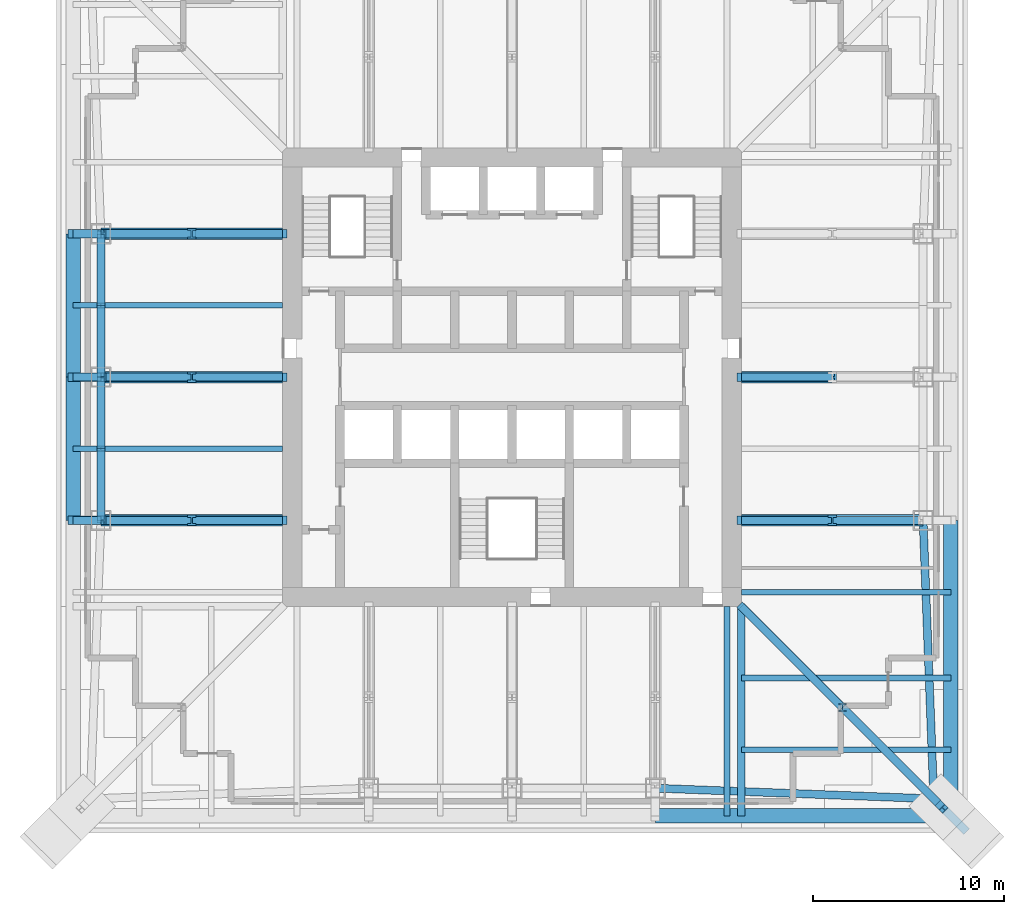
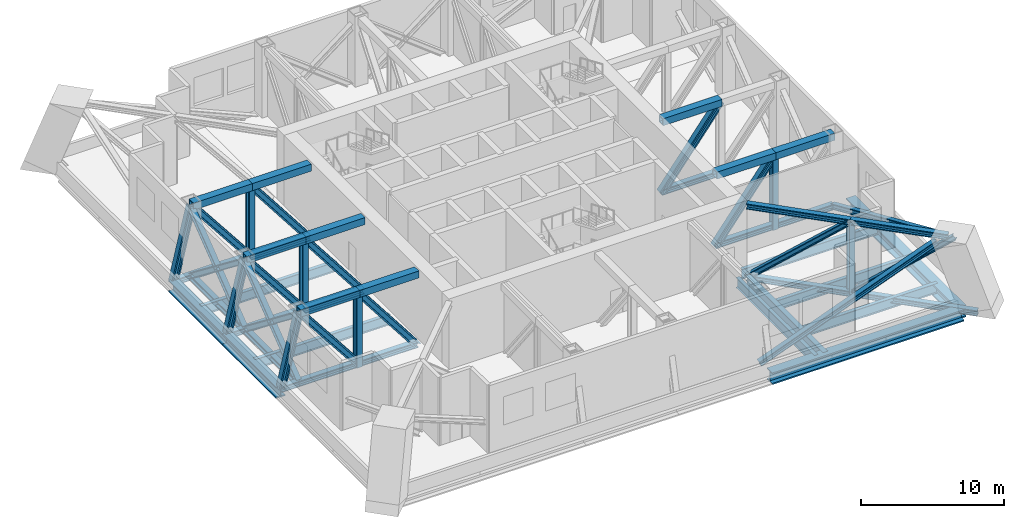
# One storey, part 2 of 8: 55 members, 11 beams.
"""IFC4 building model written with IfcOpenShell, lengths in metres."""

from ifc_helpers import new_model, si_unit, direction, frame, origin, origin_2d, place, context, subcontext, project, spatial, hollow_rectangle, i_section, extrude, clip, halfspace, material, material_profile, profile_set, type_object, element, save


model = new_model("IFC4")

# Units and contexts
model_context = context("Model", 3, precision=1e-05, world=origin(), true_north=direction((0.0, 1.0)))
body_context = subcontext(model_context, "Body", "Model", "MODEL_VIEW")
ifc_project = project(units=[si_unit("LENGTHUNIT", "METRE"), si_unit("AREAUNIT", "SQUARE_METRE"), si_unit("VOLUMEUNIT", "CUBIC_METRE"), si_unit("PLANEANGLEUNIT", "RADIAN"), si_unit("MASSUNIT", "GRAM", prefix="KILO")], contexts=[model_context])

# Site, building, storey
site_placement = place(None, origin())
site = spatial("IfcSite", under=ifc_project, at=site_placement, CompositionType="ELEMENT")
building_placement = place(site_placement, origin())
building = spatial("IfcBuilding", under=site, at=building_placement, Name="Tarangal Relay Tower", CompositionType="ELEMENT")
storey_placement = place(building_placement, frame((0.0, 0.0, 171.89990234375)))
storey = spatial("IfcBuildingStorey", under=building, at=storey_placement, Name="L35", CompositionType="ELEMENT", Elevation=171.89990234375)

# Members
ifc_material_1 = material(Name="Steel ASTM A992", Category="steel")
ifc_material_profile_1 = material_profile(ifc_material_1, i_section(OverallWidth=0.41162109375, OverallDepth=0.434326171875, WebThickness=0.035888671875, FlangeThickness=0.057373046875, at=origin_2d()), Name="W14X311")
ifc_profile_set_1 = profile_set([ifc_material_profile_1], Name="Steel ASTM A992")
member_type_1 = type_object("IfcMemberType", Name="Belt truss brace W14X311", PredefinedType="BRACE", material=ifc_profile_set_1)
for number, where, z_axis, x_axis, name in (
    (1, (21.514892578125, -7.5, -0.4912109375), (0.03539469011, -0.922635583131, 0.384045305469), (0.999264967069, 0.038334391708, 0.0), "Belt truss E L35 end brace"),
    (2, (7.5, -21.514892578125, -0.4912109375), (0.922635583131, -0.03539469011, 0.384045305469), (0.038334391708, 0.999264967069, 0.0), "Belt truss S L35 end brace"),
):
    element("IfcMember", number, at=place(storey_placement, frame(where, z_axis=z_axis, x_axis=x_axis)), inside=storey, type_object=member_type_1, Name=name, PredefinedType="BRACE", context=body_context, shape_type="SweptSolid", body=[
        extrude(i_section(OverallWidth=0.41162109375, OverallDepth=0.434326171875, WebThickness=0.035888671875, FlangeThickness=0.057373046875, at=origin_2d()), origin(), (0.0, 0.0, 1.0), 15.11962890625),
    ])
for number, where, z_axis, x_axis, name in (
    (3, (-21.514892578125, -7.5, -0.4912109375), (0.0, 0.790714061524, 0.612185652321), (-1.0, 0.0, 0.0), "Belt truss W L35 brace"),
    (4, (-21.514892578125, -3.75, 2.412109375), (0.0, 0.790714061524, 0.612185652321), (-1.0, 0.0, 0.0), "Belt truss W L35 brace"),
    (5, (-21.514892578125, 0.0, -0.4912109375), (0.0, -0.790714061524, 0.612185652321), (1.0, 0.0, 0.0), "Belt truss W L35 brace"),
    (6, (-21.514892578125, -3.75, 2.412109375), (0.0, -0.790714061524, 0.612185652321), (1.0, 0.0, 0.0), "Belt truss W L35 brace"),
    (7, (-21.514892578125, 0.0, -0.4912109375), (0.0, 0.790714061524, 0.612185652321), (-1.0, 0.0, 0.0), "Belt truss W L35 brace"),
    (8, (-21.514892578125, 3.75, 2.412109375), (0.0, 0.790714061524, 0.612185652321), (-1.0, 0.0, 0.0), "Belt truss W L35 brace"),
    (9, (-21.514892578125, 7.5, -0.4912109375), (0.0, -0.790714061524, 0.612185652321), (1.0, 0.0, 0.0), "Belt truss W L35 brace"),
    (10, (-21.514892578125, 3.75, 2.412109375), (0.0, -0.790714061524, 0.612185652321), (1.0, 0.0, 0.0), "Belt truss W L35 brace"),
):
    element("IfcMember", number, at=place(storey_placement, frame(where, z_axis=z_axis, x_axis=x_axis)), inside=storey, type_object=member_type_1, Name=name, PredefinedType="BRACE", context=body_context, shape_type="SweptSolid", body=[
        extrude(i_section(OverallWidth=0.41162109375, OverallDepth=0.434326171875, WebThickness=0.035888671875, FlangeThickness=0.057373046875, at=origin_2d()), origin(), (0.0, 0.0, 1.0), 4.742431640625),
    ])
ifc_material_profile_2 = material_profile(ifc_material_1, i_section(OverallWidth=0.41650390625, OverallDepth=0.444580078125, WebThickness=0.0390625, FlangeThickness=0.062744140625, at=origin_2d()), Name="W14X342")
ifc_profile_set_2 = profile_set([ifc_material_profile_2], Name="Steel ASTM A992")
member_type_2 = type_object("IfcMemberType", Name="Belt truss chord W14X342", PredefinedType="CHORD", material=ifc_profile_set_2)
for number, where, z_axis, x_axis, name in (
    (11, (-21.514892578125, -7.5, -0.4912109375), (0.0, 1.0, 0.0), (-1.0, 0.0, 0.0), "Belt truss W L35 bottom chord"),
    (12, (-21.514892578125, 0.0, -0.4912109375), (0.0, 1.0, 0.0), (-1.0, 0.0, 0.0), "Belt truss W L35 bottom chord"),
):
    element("IfcMember", number, at=place(storey_placement, frame(where, z_axis=z_axis, x_axis=x_axis)), inside=storey, type_object=member_type_2, Name=name, PredefinedType="CHORD", context=body_context, shape_type="SweptSolid", body=[
        extrude(i_section(OverallWidth=0.41650390625, OverallDepth=0.444580078125, WebThickness=0.0390625, FlangeThickness=0.062744140625, at=origin_2d()), origin(), (0.0, 0.0, 1.0), 7.5),
    ])

# Beams
ifc_material_profile_3 = material_profile(ifc_material_1, i_section(OverallWidth=0.2919921875, OverallDepth=0.8408203125, WebThickness=0.0146484375, FlangeThickness=0.021728515625, at=origin_2d()), Name="W33X130")
ifc_profile_set_3 = profile_set([ifc_material_profile_3], Name="Steel ASTM A992")
beam_type_1 = type_object("IfcBeamType", Name="Corner beam W33X130", PredefinedType="JOIST", material=ifc_profile_set_3)
for number, where, z_axis, x_axis, name in (
    (13, (12.0, -15.75, -0.67041015625), (1.0, 0.0, 0.0), (0.0, 1.0, 0.0), "Corner beam CB2 E L35"),
    (14, (12.0, -19.5, -0.67041015625), (1.0, 0.0, 0.0), (0.0, 1.0, 0.0), "Corner beam CB2 E L35"),
):
    element("IfcBeam", number, at=place(storey_placement, frame(where, z_axis=z_axis, x_axis=x_axis)), inside=storey, type_object=beam_type_1, Name=name, PredefinedType="JOIST", context=body_context, shape_type="SweptSolid", body=[
        extrude(i_section(OverallWidth=0.2919921875, OverallDepth=0.8408203125, WebThickness=0.0146484375, FlangeThickness=0.021728515625, at=origin_2d()), origin(), (0.0, 0.0, 1.0), 10.965087890625),
    ])
ifc_material_profile_4 = material_profile(ifc_material_1, i_section(OverallWidth=0.4013671875, OverallDepth=1.01611328125, WebThickness=0.02099609375, FlangeThickness=0.0400390625, at=origin_2d()), Name="W40X277")
ifc_profile_set_4 = profile_set([ifc_material_profile_4], Name="Steel ASTM A992")
beam_type_2 = type_object("IfcBeamType", Name="Corner girder W40X277", PredefinedType="BEAM", material=ifc_profile_set_4)
beam_placement = place(storey_placement, frame((12.0, -12.0, -0.7578125), z_axis=(0.0, -1.0, 0.0), x_axis=(1.0, 0.0, 0.0)))
element("IfcBeam", 15, at=beam_placement, inside=storey, type_object=beam_type_2, Name="Corner girder CG3 E L35", PredefinedType="BEAM", context=body_context, shape_type="SweptSolid", body=[
    extrude(i_section(OverallWidth=0.4013671875, OverallDepth=1.01611328125, WebThickness=0.02099609375, FlangeThickness=0.0400390625, at=origin_2d()), origin(), (0.0, 0.0, 1.0), 10.965087890625),
])
ifc_material_2 = material(Name="Steel ASTM A572 Grade 42", Category="steel")
ifc_material_profile_5 = material_profile(ifc_material_2, i_section(OverallWidth=0.75, OverallDepth=1.0, WebThickness=0.030029296875, FlangeThickness=0.110107421875, at=origin_2d()), Name="PG1000X750X110X30")
ifc_profile_set_5 = profile_set([ifc_material_profile_5], Name="Steel ASTM A572 Grade 42")
beam_type_3 = type_object("IfcBeamType", Name="Edge girder PG1000X750X110X30", PredefinedType="SPANDREL", material=ifc_profile_set_5)
for number, where, z_axis, x_axis, name in (
    (16, (22.965087890625, -7.5, -0.75), (0.0, -1.0, 0.0), (1.0, 0.0, 0.0), "Edge girder EG12 E L35"),
    (17, (22.949951171875, -22.965087890625, -0.75), (-1.0, 0.0, 0.0), (0.0, -1.0, 0.0), "Edge girder EG12 S L35"),
):
    element("IfcBeam", number, at=place(storey_placement, frame(where, z_axis=z_axis, x_axis=x_axis)), inside=storey, type_object=beam_type_3, Name=name, PredefinedType="SPANDREL", context=body_context, shape_type="SweptSolid", body=[
        extrude(i_section(OverallWidth=0.75, OverallDepth=1.0, WebThickness=0.030029296875, FlangeThickness=0.110107421875, at=origin_2d()), origin(), (0.0, 0.0, 1.0), 15.449951171875),
    ])
for number, where, z_axis, x_axis, name in (
    (18, (-22.965087890625, -7.5, -0.75), (0.0, 1.0, 0.0), (-1.0, 0.0, 0.0), "Edge girder EG12 W L35"),
    (19, (-22.965087890625, 0.0, -0.75), (0.0, 1.0, 0.0), (-1.0, 0.0, 0.0), "Edge girder EG12 W L35"),
):
    element("IfcBeam", number, at=place(storey_placement, frame(where, z_axis=z_axis, x_axis=x_axis)), inside=storey, type_object=beam_type_3, Name=name, PredefinedType="SPANDREL", context=body_context, shape_type="SweptSolid", body=[
        extrude(i_section(OverallWidth=0.75, OverallDepth=1.0, WebThickness=0.030029296875, FlangeThickness=0.110107421875, at=origin_2d()), origin(), (0.0, 0.0, 1.0), 7.5),
    ])
ifc_material_profile_6 = material_profile(ifc_material_1, i_section(OverallWidth=0.2919921875, OverallDepth=0.8408203125, WebThickness=0.0146484375, FlangeThickness=0.021728515625, at=origin_2d()), Name="W33X130")
ifc_profile_set_6 = profile_set([ifc_material_profile_6], Name="Steel ASTM A992")
beam_type_4 = type_object("IfcBeamType", Name="Floor beam W33X130", PredefinedType="BEAM", material=ifc_profile_set_6)
for number, where, z_axis, x_axis, name in (
    (20, (12.0, -11.25, -0.67041015625), (1.0, 0.0, 0.0), (0.0, 1.0, 0.0), "Floor beam RB2 E L35"),
    (21, (11.25, -12.0, -0.67041015625), (0.0, -1.0, 0.0), (1.0, 0.0, 0.0), "Floor beam RB2 S L35"),
    (22, (-12.0, -3.75, -0.67041015625), (-1.0, 0.0, 0.0), (0.0, -1.0, 0.0), "Floor beam RB2 W L35"),
    (23, (-12.0, 3.75, -0.67041015625), (-1.0, 0.0, 0.0), (0.0, -1.0, 0.0), "Floor beam RB2 W L35"),
):
    element("IfcBeam", number, at=place(storey_placement, frame(where, z_axis=z_axis, x_axis=x_axis)), inside=storey, type_object=beam_type_4, Name=name, PredefinedType="BEAM", context=body_context, shape_type="SweptSolid", body=[
        extrude(i_section(OverallWidth=0.2919921875, OverallDepth=0.8408203125, WebThickness=0.0146484375, FlangeThickness=0.021728515625, at=origin_2d()), origin(), (0.0, 0.0, 1.0), 10.965087890625),
    ])

# Members
ifc_material_profile_7 = material_profile(ifc_material_1, i_section(OverallWidth=0.421630859375, OverallDepth=0.46484375, WebThickness=0.044921875, FlangeThickness=0.072509765625, at=origin_2d()), Name="W14X398")
ifc_profile_set_7 = profile_set([ifc_material_profile_7], Name="Steel ASTM A992")
member_type_3 = type_object("IfcMemberType", Name="Outrigger chord W14X398", PredefinedType="CHORD", material=ifc_profile_set_7)
member_1_placement = place(storey_placement, frame((12.0, -12.0, -0.482421875), z_axis=(0.707106781187, -0.707106781187, 0.0), x_axis=(0.707106781187, 0.707106781187, 0.0)))
element("IfcMember", 24, at=member_1_placement, inside=storey, type_object=member_type_3, Name="Outrigger SE L35 bottom chord", PredefinedType="CHORD", context=body_context, shape_type="SweptSolid", body=[
    extrude(i_section(OverallWidth=0.421630859375, OverallDepth=0.46484375, WebThickness=0.044921875, FlangeThickness=0.072509765625, at=origin_2d()), origin(), (0.0, 0.0, 1.0), 7.4921875),
])
member_2_placement = place(storey_placement, frame((17.2978515625, -17.2978515625, -0.482421875), z_axis=(0.707106781187, -0.707106781187, 0.0), x_axis=(0.707106781187, 0.707106781187, 0.0)))
element("IfcMember", 25, at=member_2_placement, inside=storey, type_object=member_type_3, Name="Outrigger SE L35 bottom chord", PredefinedType="CHORD", context=body_context, shape_type="Clipping", body=[
    clip(extrude(i_section(OverallWidth=0.421630859375, OverallDepth=0.46484375, WebThickness=0.044921875, FlangeThickness=0.072509765625, at=origin_2d()), origin(), (0.0, 0.0, 1.0), 9.478271484375), halfspace(frame((0.0, 0.0, 9.1826171875)), False)),
])
member_3_placement = place(storey_placement, frame((12.0, -12.0, 5.61767578125), z_axis=(0.707106781187, -0.707106781187, 0.0), x_axis=(0.707106781187, 0.707106781187, 0.0)))
element("IfcMember", 26, at=member_3_placement, inside=storey, type_object=member_type_3, Name="Outrigger SE L35 top chord", PredefinedType="CHORD", context=body_context, shape_type="SweptSolid", body=[
    extrude(i_section(OverallWidth=0.421630859375, OverallDepth=0.46484375, WebThickness=0.044921875, FlangeThickness=0.072509765625, at=origin_2d()), origin(), (0.0, 0.0, 1.0), 7.4921875),
])
member_4_placement = place(storey_placement, frame((17.2978515625, -17.2978515625, 5.61767578125), z_axis=(0.707106781187, -0.707106781187, 0.0), x_axis=(0.707106781187, 0.707106781187, 0.0)))
element("IfcMember", 27, at=member_4_placement, inside=storey, type_object=member_type_3, Name="Outrigger SE L35 top chord", PredefinedType="CHORD", context=body_context, shape_type="Clipping", body=[
    clip(extrude(i_section(OverallWidth=0.421630859375, OverallDepth=0.46484375, WebThickness=0.044921875, FlangeThickness=0.072509765625, at=origin_2d()), origin(), (0.0, 0.0, 1.0), 7.4921875), halfspace(frame((0.0, 0.0, 7.061279296875)), False)),
])
ifc_material_profile_8 = material_profile(ifc_material_1, i_section(OverallWidth=0.408935546875, OverallDepth=0.42431640625, WebThickness=0.03271484375, FlangeThickness=0.052490234375, at=origin_2d()), Name="W14X283")
ifc_profile_set_8 = profile_set([ifc_material_profile_8], Name="Steel ASTM A992")
member_type_4 = type_object("IfcMemberType", Name="Outrigger web W14X283", PredefinedType="STRUT", material=ifc_profile_set_8)
member_5_placement = place(storey_placement, frame((17.2978515625, -17.2978515625, -0.482421875), z_axis=(0.0, 0.0, 1.0), x_axis=(1.0, 0.0, 0.0)))
element("IfcMember", 28, at=member_5_placement, inside=storey, type_object=member_type_4, Name="Outrigger SE L35 vertical", PredefinedType="STRUT", context=body_context, shape_type="SweptSolid", body=[
    extrude(i_section(OverallWidth=0.408935546875, OverallDepth=0.42431640625, WebThickness=0.03271484375, FlangeThickness=0.052490234375, at=origin_2d()), origin(), (0.0, 0.0, 1.0), 6.10009765625),
])
for number, where, z_axis, x_axis, name in (
    (29, (12.0, -12.0, -0.482421875), (0.548343544499, -0.548343544499, 0.631378424095), (0.707106781187, 0.707106781187, 0.0), "Outrigger SE L35 diagonal"),
    (30, (17.2978515625, -17.2978515625, -0.482421875), (0.548343544499, -0.548343544499, 0.631378424095), (0.707106781187, 0.707106781187, 0.0), "Outrigger SE L35 diagonal"),
):
    element("IfcMember", number, at=place(storey_placement, frame(where, z_axis=z_axis, x_axis=x_axis)), inside=storey, type_object=member_type_4, Name=name, PredefinedType="STRUT", context=body_context, shape_type="SweptSolid", body=[
        extrude(i_section(OverallWidth=0.408935546875, OverallDepth=0.42431640625, WebThickness=0.03271484375, FlangeThickness=0.052490234375, at=origin_2d()), origin(), (0.0, 0.0, 1.0), 9.66162109375),
    ])
ifc_material_profile_9 = material_profile(ifc_material_1, i_section(OverallWidth=0.4267578125, OverallDepth=0.482666015625, WebThickness=0.05126953125, FlangeThickness=0.08154296875, at=origin_2d()), Name="W14X455")
ifc_profile_set_9 = profile_set([ifc_material_profile_9], Name="Steel ASTM A992")
member_type_5 = type_object("IfcMemberType", Name="Transfer truss chord W14X455", PredefinedType="CHORD", material=ifc_profile_set_9)
for number, where, z_axis, x_axis, name in (
    (31, (12.0, 0.0, -0.4912109375), (1.0, 0.0, 0.0), (0.0, 1.0, 0.0), "Transfer truss E +0.0 L35 bottom chord"),
    (32, (12.0, -7.5, -0.4912109375), (1.0, 0.0, 0.0), (0.0, 1.0, 0.0), "Transfer truss E +7.5 L35 bottom chord"),
):
    element("IfcMember", number, at=place(storey_placement, frame(where, z_axis=z_axis, x_axis=x_axis)), inside=storey, type_object=member_type_5, Name=name, PredefinedType="CHORD", context=body_context, shape_type="SweptSolid", body=[
        extrude(i_section(OverallWidth=0.4267578125, OverallDepth=0.482666015625, WebThickness=0.05126953125, FlangeThickness=0.08154296875, at=origin_2d()), origin(), (0.0, 0.0, 1.0), 4.757568359375),
    ])
member_6_placement = place(storey_placement, frame((16.757568359375, -7.5, -0.4912109375), z_axis=(1.0, 0.0, 0.0), x_axis=(0.0, 1.0, 0.0)))
element("IfcMember", 33, at=member_6_placement, inside=storey, type_object=member_type_5, Name="Transfer truss E +7.5 L35 bottom chord", PredefinedType="CHORD", context=body_context, shape_type="SweptSolid", body=[
    extrude(i_section(OverallWidth=0.4267578125, OverallDepth=0.482666015625, WebThickness=0.05126953125, FlangeThickness=0.08154296875, at=origin_2d()), origin(), (0.0, 0.0, 1.0), 4.75732421875),
])
member_7_placement = place(storey_placement, frame((-12.0, -7.5, -0.4912109375), z_axis=(-1.0, 0.0, 0.0), x_axis=(0.0, -1.0, 0.0)))
element("IfcMember", 34, at=member_7_placement, inside=storey, type_object=member_type_5, Name="Transfer truss W -7.5 L35 bottom chord", PredefinedType="CHORD", context=body_context, shape_type="SweptSolid", body=[
    extrude(i_section(OverallWidth=0.4267578125, OverallDepth=0.482666015625, WebThickness=0.05126953125, FlangeThickness=0.08154296875, at=origin_2d()), origin(), (0.0, 0.0, 1.0), 4.757568359375),
])
member_8_placement = place(storey_placement, frame((-16.757568359375, -7.5, -0.4912109375), z_axis=(-1.0, 0.0, 0.0), x_axis=(0.0, -1.0, 0.0)))
element("IfcMember", 35, at=member_8_placement, inside=storey, type_object=member_type_5, Name="Transfer truss W -7.5 L35 bottom chord", PredefinedType="CHORD", context=body_context, shape_type="SweptSolid", body=[
    extrude(i_section(OverallWidth=0.4267578125, OverallDepth=0.482666015625, WebThickness=0.05126953125, FlangeThickness=0.08154296875, at=origin_2d()), origin(), (0.0, 0.0, 1.0), 4.75732421875),
])
member_9_placement = place(storey_placement, frame((-21.514892578125, -7.5, -0.4912109375), z_axis=(-1.0, 0.0, 0.0), x_axis=(0.0, -1.0, 0.0)))
element("IfcMember", 36, at=member_9_placement, inside=storey, type_object=member_type_5, Name="Transfer truss W -7.5 L35 bottom chord", PredefinedType="CHORD", context=body_context, shape_type="SweptSolid", body=[
    extrude(i_section(OverallWidth=0.4267578125, OverallDepth=0.482666015625, WebThickness=0.05126953125, FlangeThickness=0.08154296875, at=origin_2d()), origin(), (0.0, 0.0, 1.0), 1.4501953125),
])
member_10_placement = place(storey_placement, frame((-12.0, 0.0, -0.4912109375), z_axis=(-1.0, 0.0, 0.0), x_axis=(0.0, -1.0, 0.0)))
element("IfcMember", 37, at=member_10_placement, inside=storey, type_object=member_type_5, Name="Transfer truss W +0.0 L35 bottom chord", PredefinedType="CHORD", context=body_context, shape_type="SweptSolid", body=[
    extrude(i_section(OverallWidth=0.4267578125, OverallDepth=0.482666015625, WebThickness=0.05126953125, FlangeThickness=0.08154296875, at=origin_2d()), origin(), (0.0, 0.0, 1.0), 4.757568359375),
])
member_11_placement = place(storey_placement, frame((-16.757568359375, 0.0, -0.4912109375), z_axis=(-1.0, 0.0, 0.0), x_axis=(0.0, -1.0, 0.0)))
element("IfcMember", 38, at=member_11_placement, inside=storey, type_object=member_type_5, Name="Transfer truss W +0.0 L35 bottom chord", PredefinedType="CHORD", context=body_context, shape_type="SweptSolid", body=[
    extrude(i_section(OverallWidth=0.4267578125, OverallDepth=0.482666015625, WebThickness=0.05126953125, FlangeThickness=0.08154296875, at=origin_2d()), origin(), (0.0, 0.0, 1.0), 4.75732421875),
])
member_12_placement = place(storey_placement, frame((-21.514892578125, 0.0, -0.4912109375), z_axis=(-1.0, 0.0, 0.0), x_axis=(0.0, -1.0, 0.0)))
element("IfcMember", 39, at=member_12_placement, inside=storey, type_object=member_type_5, Name="Transfer truss W +0.0 L35 bottom chord", PredefinedType="CHORD", context=body_context, shape_type="SweptSolid", body=[
    extrude(i_section(OverallWidth=0.4267578125, OverallDepth=0.482666015625, WebThickness=0.05126953125, FlangeThickness=0.08154296875, at=origin_2d()), origin(), (0.0, 0.0, 1.0), 1.4501953125),
])
member_13_placement = place(storey_placement, frame((-12.0, 7.5, -0.4912109375), z_axis=(-1.0, 0.0, 0.0), x_axis=(0.0, -1.0, 0.0)))
element("IfcMember", 40, at=member_13_placement, inside=storey, type_object=member_type_5, Name="Transfer truss W +7.5 L35 bottom chord", PredefinedType="CHORD", context=body_context, shape_type="SweptSolid", body=[
    extrude(i_section(OverallWidth=0.4267578125, OverallDepth=0.482666015625, WebThickness=0.05126953125, FlangeThickness=0.08154296875, at=origin_2d()), origin(), (0.0, 0.0, 1.0), 4.757568359375),
])
member_14_placement = place(storey_placement, frame((-16.757568359375, 7.5, -0.4912109375), z_axis=(-1.0, 0.0, 0.0), x_axis=(0.0, -1.0, 0.0)))
element("IfcMember", 41, at=member_14_placement, inside=storey, type_object=member_type_5, Name="Transfer truss W +7.5 L35 bottom chord", PredefinedType="CHORD", context=body_context, shape_type="SweptSolid", body=[
    extrude(i_section(OverallWidth=0.4267578125, OverallDepth=0.482666015625, WebThickness=0.05126953125, FlangeThickness=0.08154296875, at=origin_2d()), origin(), (0.0, 0.0, 1.0), 4.75732421875),
])
member_15_placement = place(storey_placement, frame((-21.514892578125, 7.5, -0.4912109375), z_axis=(-1.0, 0.0, 0.0), x_axis=(0.0, -1.0, 0.0)))
element("IfcMember", 42, at=member_15_placement, inside=storey, type_object=member_type_5, Name="Transfer truss W +7.5 L35 bottom chord", PredefinedType="CHORD", context=body_context, shape_type="SweptSolid", body=[
    extrude(i_section(OverallWidth=0.4267578125, OverallDepth=0.482666015625, WebThickness=0.05126953125, FlangeThickness=0.08154296875, at=origin_2d()), origin(), (0.0, 0.0, 1.0), 1.4501953125),
])
ifc_material_3 = material(Name="Steel ASTM A572 Grade 50", Category="steel")
ifc_material_profile_10 = material_profile(ifc_material_3, hollow_rectangle(XDim=0.60009765625, YDim=0.60009765625, WallThickness=0.070068359375, at=origin_2d()), Name="BOX600X600X70")
ifc_profile_set_10 = profile_set([ifc_material_profile_10], Name="Steel ASTM A572 Grade 50")
member_type_6 = type_object("IfcMemberType", Name="Transfer truss top chord BOX600X600X70", PredefinedType="CHORD", material=ifc_profile_set_10)
for number, where, z_axis, x_axis, name in (
    (43, (12.0, 0.0, 5.550048828125), (1.0, 0.0, 0.0), (0.0, 1.0, 0.0), "Transfer truss E +0.0 L35 top chord"),
    (44, (12.0, -7.5, 5.550048828125), (1.0, 0.0, 0.0), (0.0, 1.0, 0.0), "Transfer truss E +7.5 L35 top chord"),
):
    element("IfcMember", number, at=place(storey_placement, frame(where, z_axis=z_axis, x_axis=x_axis)), inside=storey, type_object=member_type_6, Name=name, PredefinedType="CHORD", context=body_context, shape_type="SweptSolid", body=[
        extrude(hollow_rectangle(XDim=0.60009765625, YDim=0.60009765625, WallThickness=0.070068359375, at=origin_2d()), origin(), (0.0, 0.0, 1.0), 4.757568359375),
    ])
member_16_placement = place(storey_placement, frame((16.757568359375, -7.5, 5.550048828125), z_axis=(1.0, 0.0, 0.0), x_axis=(0.0, 1.0, 0.0)))
element("IfcMember", 45, at=member_16_placement, inside=storey, type_object=member_type_6, Name="Transfer truss E +7.5 L35 top chord", PredefinedType="CHORD", context=body_context, shape_type="SweptSolid", body=[
    extrude(hollow_rectangle(XDim=0.60009765625, YDim=0.60009765625, WallThickness=0.070068359375, at=origin_2d()), origin(), (0.0, 0.0, 1.0), 4.75732421875),
])
member_17_placement = place(storey_placement, frame((-12.0, -7.5, 5.550048828125), z_axis=(-1.0, 0.0, 0.0), x_axis=(0.0, -1.0, 0.0)))
element("IfcMember", 46, at=member_17_placement, inside=storey, type_object=member_type_6, Name="Transfer truss W -7.5 L35 top chord", PredefinedType="CHORD", context=body_context, shape_type="SweptSolid", body=[
    extrude(hollow_rectangle(XDim=0.60009765625, YDim=0.60009765625, WallThickness=0.070068359375, at=origin_2d()), origin(), (0.0, 0.0, 1.0), 4.757568359375),
])
member_18_placement = place(storey_placement, frame((-16.757568359375, -7.5, 5.550048828125), z_axis=(-1.0, 0.0, 0.0), x_axis=(0.0, -1.0, 0.0)))
element("IfcMember", 47, at=member_18_placement, inside=storey, type_object=member_type_6, Name="Transfer truss W -7.5 L35 top chord", PredefinedType="CHORD", context=body_context, shape_type="SweptSolid", body=[
    extrude(hollow_rectangle(XDim=0.60009765625, YDim=0.60009765625, WallThickness=0.070068359375, at=origin_2d()), origin(), (0.0, 0.0, 1.0), 4.75732421875),
])
member_19_placement = place(storey_placement, frame((-12.0, 0.0, 5.550048828125), z_axis=(-1.0, 0.0, 0.0), x_axis=(0.0, -1.0, 0.0)))
element("IfcMember", 48, at=member_19_placement, inside=storey, type_object=member_type_6, Name="Transfer truss W +0.0 L35 top chord", PredefinedType="CHORD", context=body_context, shape_type="SweptSolid", body=[
    extrude(hollow_rectangle(XDim=0.60009765625, YDim=0.60009765625, WallThickness=0.070068359375, at=origin_2d()), origin(), (0.0, 0.0, 1.0), 4.757568359375),
])
member_20_placement = place(storey_placement, frame((-16.757568359375, 0.0, 5.550048828125), z_axis=(-1.0, 0.0, 0.0), x_axis=(0.0, -1.0, 0.0)))
element("IfcMember", 49, at=member_20_placement, inside=storey, type_object=member_type_6, Name="Transfer truss W +0.0 L35 top chord", PredefinedType="CHORD", context=body_context, shape_type="SweptSolid", body=[
    extrude(hollow_rectangle(XDim=0.60009765625, YDim=0.60009765625, WallThickness=0.070068359375, at=origin_2d()), origin(), (0.0, 0.0, 1.0), 4.75732421875),
])
member_21_placement = place(storey_placement, frame((-12.0, 7.5, 5.550048828125), z_axis=(-1.0, 0.0, 0.0), x_axis=(0.0, -1.0, 0.0)))
element("IfcMember", 50, at=member_21_placement, inside=storey, type_object=member_type_6, Name="Transfer truss W +7.5 L35 top chord", PredefinedType="CHORD", context=body_context, shape_type="SweptSolid", body=[
    extrude(hollow_rectangle(XDim=0.60009765625, YDim=0.60009765625, WallThickness=0.070068359375, at=origin_2d()), origin(), (0.0, 0.0, 1.0), 4.757568359375),
])
member_22_placement = place(storey_placement, frame((-16.757568359375, 7.5, 5.550048828125), z_axis=(-1.0, 0.0, 0.0), x_axis=(0.0, -1.0, 0.0)))
element("IfcMember", 51, at=member_22_placement, inside=storey, type_object=member_type_6, Name="Transfer truss W +7.5 L35 top chord", PredefinedType="CHORD", context=body_context, shape_type="SweptSolid", body=[
    extrude(hollow_rectangle(XDim=0.60009765625, YDim=0.60009765625, WallThickness=0.070068359375, at=origin_2d()), origin(), (0.0, 0.0, 1.0), 4.75732421875),
])
ifc_material_profile_11 = material_profile(ifc_material_1, i_section(OverallWidth=0.44970703125, OverallDepth=0.548583984375, WebThickness=0.072021484375, FlangeThickness=0.11474609375, at=origin_2d()), Name="W14X665")
ifc_profile_set_11 = profile_set([ifc_material_profile_11], Name="Steel ASTM A992")
member_type_7 = type_object("IfcMemberType", Name="Transfer truss web W14X665", PredefinedType="STRUT", material=ifc_profile_set_11)
member_23_placement = place(storey_placement, frame((12.0, 0.0, -0.589599609375), z_axis=(0.612518642987, 0.0, 0.790456141727), x_axis=(0.0, 1.0, 0.0)))
element("IfcMember", 52, at=member_23_placement, inside=storey, type_object=member_type_7, Name="Transfer truss E +0.0 L35 diagonal", PredefinedType="STRUT", context=body_context, shape_type="SweptSolid", body=[
    extrude(i_section(OverallWidth=0.44970703125, OverallDepth=0.548583984375, WebThickness=0.072021484375, FlangeThickness=0.11474609375, at=origin_2d()), origin(), (0.0, 0.0, 1.0), 7.767333984375),
])
member_24_placement = place(storey_placement, frame((16.757568359375, -7.5, -0.732421875), z_axis=(0.0, 0.0, 1.0), x_axis=(1.0, 0.0, 0.0)))
element("IfcMember", 53, at=member_24_placement, inside=storey, type_object=member_type_7, Name="Transfer truss E +7.5 L35 vertical", PredefinedType="STRUT", context=body_context, shape_type="SweptSolid", body=[
    extrude(i_section(OverallWidth=0.44970703125, OverallDepth=0.548583984375, WebThickness=0.072021484375, FlangeThickness=0.11474609375, at=origin_2d()), origin(), (0.0, 0.0, 1.0), 6.282470703125),
])
member_25_placement = place(storey_placement, frame((12.0, -7.5, -0.589599609375), z_axis=(0.612518642987, 0.0, 0.790456141727), x_axis=(0.0, 1.0, 0.0)))
element("IfcMember", 54, at=member_25_placement, inside=storey, type_object=member_type_7, Name="Transfer truss E +7.5 L35 diagonal", PredefinedType="STRUT", context=body_context, shape_type="SweptSolid", body=[
    extrude(i_section(OverallWidth=0.44970703125, OverallDepth=0.548583984375, WebThickness=0.072021484375, FlangeThickness=0.11474609375, at=origin_2d()), origin(), (0.0, 0.0, 1.0), 7.767333984375),
])
member_26_placement = place(storey_placement, frame((-16.757568359375, -7.5, -0.732421875), z_axis=(0.0, 0.0, 1.0), x_axis=(1.0, 0.0, 0.0)))
element("IfcMember", 55, at=member_26_placement, inside=storey, type_object=member_type_7, Name="Transfer truss W -7.5 L35 vertical", PredefinedType="STRUT", context=body_context, shape_type="SweptSolid", body=[
    extrude(i_section(OverallWidth=0.44970703125, OverallDepth=0.548583984375, WebThickness=0.072021484375, FlangeThickness=0.11474609375, at=origin_2d()), origin(), (0.0, 0.0, 1.0), 6.282470703125),
])
member_27_placement = place(storey_placement, frame((-12.0, -7.5, -0.589599609375), z_axis=(-0.612518642987, 0.0, 0.790456141727), x_axis=(0.0, -1.0, 0.0)))
element("IfcMember", 56, at=member_27_placement, inside=storey, type_object=member_type_7, Name="Transfer truss W -7.5 L35 diagonal", PredefinedType="STRUT", context=body_context, shape_type="SweptSolid", body=[
    extrude(i_section(OverallWidth=0.44970703125, OverallDepth=0.548583984375, WebThickness=0.072021484375, FlangeThickness=0.11474609375, at=origin_2d()), origin(), (0.0, 0.0, 1.0), 7.767333984375),
])
member_28_placement = place(storey_placement, frame((-16.757568359375, -7.5, -0.4912109375), z_axis=(-0.618675124983, 0.0, 0.785646924341), x_axis=(0.0, -1.0, 0.0)))
element("IfcMember", 57, at=member_28_placement, inside=storey, type_object=member_type_7, Name="Transfer truss W -7.5 L35 diagonal", PredefinedType="STRUT", context=body_context, shape_type="SweptSolid", body=[
    extrude(i_section(OverallWidth=0.44970703125, OverallDepth=0.548583984375, WebThickness=0.072021484375, FlangeThickness=0.11474609375, at=origin_2d()), origin(), (0.0, 0.0, 1.0), 7.689453125),
])
member_29_placement = place(storey_placement, frame((-22.965087890625, -7.5, -0.4912109375), z_axis=(0.233417539086, 0.0, 0.972376600113), x_axis=(0.0, 1.0, 0.0)))
element("IfcMember", 58, at=member_29_placement, inside=storey, type_object=member_type_7, Name="Transfer truss W -7.5 L35 end diagonal", PredefinedType="STRUT", context=body_context, shape_type="SweptSolid", body=[
    extrude(i_section(OverallWidth=0.44970703125, OverallDepth=0.548583984375, WebThickness=0.072021484375, FlangeThickness=0.11474609375, at=origin_2d()), origin(), (0.0, 0.0, 1.0), 6.212890625),
])
member_30_placement = place(storey_placement, frame((-16.757568359375, 0.0, -0.732421875), z_axis=(0.0, 0.0, 1.0), x_axis=(1.0, 0.0, 0.0)))
element("IfcMember", 59, at=member_30_placement, inside=storey, type_object=member_type_7, Name="Transfer truss W +0.0 L35 vertical", PredefinedType="STRUT", context=body_context, shape_type="SweptSolid", body=[
    extrude(i_section(OverallWidth=0.44970703125, OverallDepth=0.548583984375, WebThickness=0.072021484375, FlangeThickness=0.11474609375, at=origin_2d()), origin(), (0.0, 0.0, 1.0), 6.282470703125),
])
member_31_placement = place(storey_placement, frame((-12.0, 0.0, -0.589599609375), z_axis=(-0.612518642987, 0.0, 0.790456141727), x_axis=(0.0, -1.0, 0.0)))
element("IfcMember", 60, at=member_31_placement, inside=storey, type_object=member_type_7, Name="Transfer truss W +0.0 L35 diagonal", PredefinedType="STRUT", context=body_context, shape_type="SweptSolid", body=[
    extrude(i_section(OverallWidth=0.44970703125, OverallDepth=0.548583984375, WebThickness=0.072021484375, FlangeThickness=0.11474609375, at=origin_2d()), origin(), (0.0, 0.0, 1.0), 7.767333984375),
])
member_32_placement = place(storey_placement, frame((-16.757568359375, 0.0, -0.4912109375), z_axis=(-0.618675124983, 0.0, 0.785646924341), x_axis=(0.0, -1.0, 0.0)))
element("IfcMember", 61, at=member_32_placement, inside=storey, type_object=member_type_7, Name="Transfer truss W +0.0 L35 diagonal", PredefinedType="STRUT", context=body_context, shape_type="SweptSolid", body=[
    extrude(i_section(OverallWidth=0.44970703125, OverallDepth=0.548583984375, WebThickness=0.072021484375, FlangeThickness=0.11474609375, at=origin_2d()), origin(), (0.0, 0.0, 1.0), 7.689453125),
])
member_33_placement = place(storey_placement, frame((-22.965087890625, 0.0, -0.4912109375), z_axis=(0.233417539086, 0.0, 0.972376600113), x_axis=(0.0, 1.0, 0.0)))
element("IfcMember", 62, at=member_33_placement, inside=storey, type_object=member_type_7, Name="Transfer truss W +0.0 L35 end diagonal", PredefinedType="STRUT", context=body_context, shape_type="SweptSolid", body=[
    extrude(i_section(OverallWidth=0.44970703125, OverallDepth=0.548583984375, WebThickness=0.072021484375, FlangeThickness=0.11474609375, at=origin_2d()), origin(), (0.0, 0.0, 1.0), 6.212890625),
])
member_34_placement = place(storey_placement, frame((-16.757568359375, 7.5, -0.732421875), z_axis=(0.0, 0.0, 1.0), x_axis=(1.0, 0.0, 0.0)))
element("IfcMember", 63, at=member_34_placement, inside=storey, type_object=member_type_7, Name="Transfer truss W +7.5 L35 vertical", PredefinedType="STRUT", context=body_context, shape_type="SweptSolid", body=[
    extrude(i_section(OverallWidth=0.44970703125, OverallDepth=0.548583984375, WebThickness=0.072021484375, FlangeThickness=0.11474609375, at=origin_2d()), origin(), (0.0, 0.0, 1.0), 6.282470703125),
])
member_35_placement = place(storey_placement, frame((-12.0, 7.5, -0.589599609375), z_axis=(-0.612518642987, 0.0, 0.790456141727), x_axis=(0.0, -1.0, 0.0)))
element("IfcMember", 64, at=member_35_placement, inside=storey, type_object=member_type_7, Name="Transfer truss W +7.5 L35 diagonal", PredefinedType="STRUT", context=body_context, shape_type="SweptSolid", body=[
    extrude(i_section(OverallWidth=0.44970703125, OverallDepth=0.548583984375, WebThickness=0.072021484375, FlangeThickness=0.11474609375, at=origin_2d()), origin(), (0.0, 0.0, 1.0), 7.767333984375),
])
member_36_placement = place(storey_placement, frame((-16.757568359375, 7.5, -0.4912109375), z_axis=(-0.618675124983, 0.0, 0.785646924341), x_axis=(0.0, -1.0, 0.0)))
element("IfcMember", 65, at=member_36_placement, inside=storey, type_object=member_type_7, Name="Transfer truss W +7.5 L35 diagonal", PredefinedType="STRUT", context=body_context, shape_type="SweptSolid", body=[
    extrude(i_section(OverallWidth=0.44970703125, OverallDepth=0.548583984375, WebThickness=0.072021484375, FlangeThickness=0.11474609375, at=origin_2d()), origin(), (0.0, 0.0, 1.0), 7.689453125),
])
member_37_placement = place(storey_placement, frame((-22.965087890625, 7.5, -0.4912109375), z_axis=(0.233417539086, 0.0, 0.972376600113), x_axis=(0.0, 1.0, 0.0)))
element("IfcMember", 66, at=member_37_placement, inside=storey, type_object=member_type_7, Name="Transfer truss W +7.5 L35 end diagonal", PredefinedType="STRUT", context=body_context, shape_type="SweptSolid", body=[
    extrude(i_section(OverallWidth=0.44970703125, OverallDepth=0.548583984375, WebThickness=0.072021484375, FlangeThickness=0.11474609375, at=origin_2d()), origin(), (0.0, 0.0, 1.0), 6.212890625),
])

save(model, "model.ifc")
